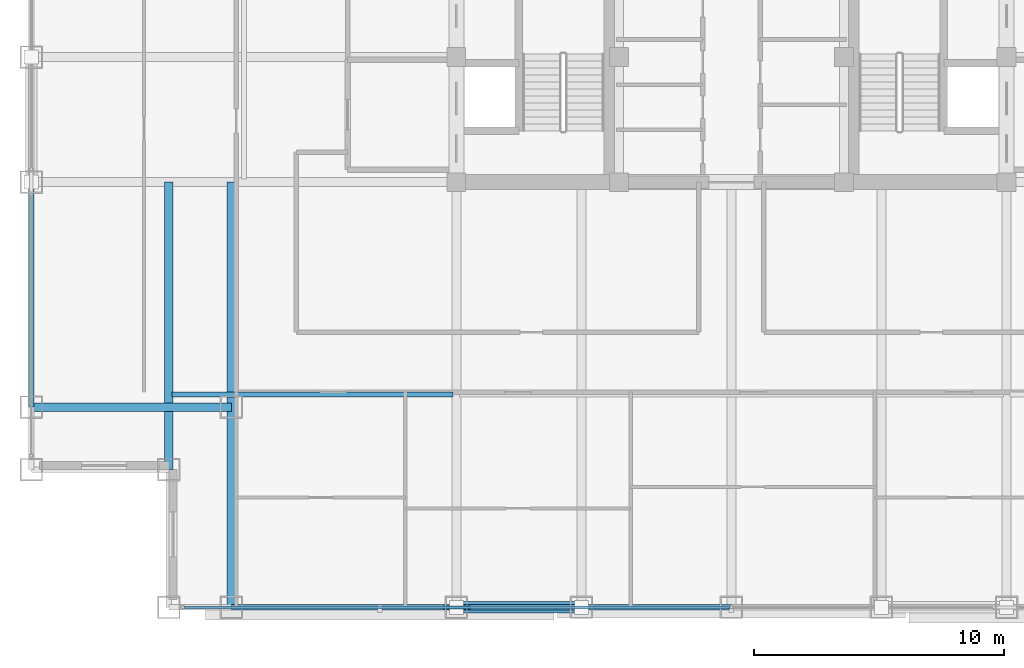
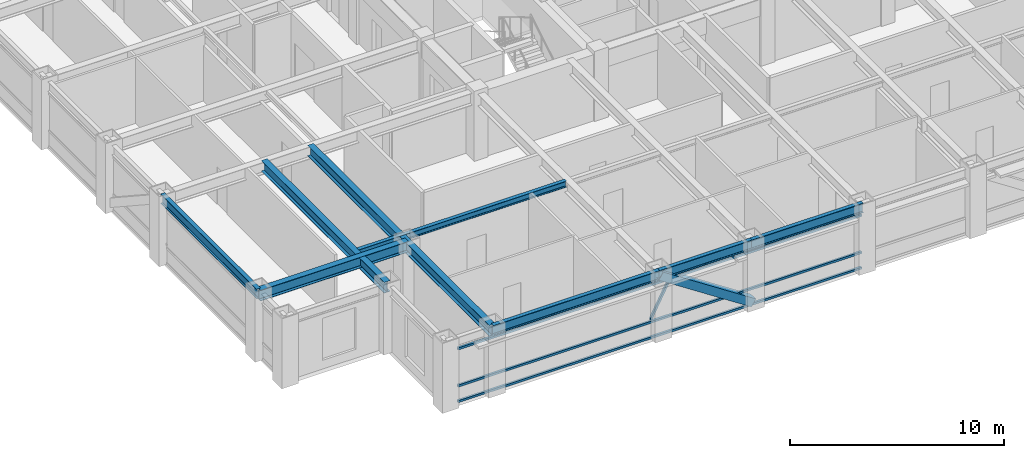
# One storey, part 3 of 27: 8 beams, 5 members, 1 element without a shape of its own.
"""IFC4 building model written with IfcOpenShell, lengths in metres."""

from ifc_helpers import new_model, si_unit, direction, frame, origin, origin_2d, place, context, subcontext, project, spatial, hollow_rectangle, i_section, extrude, source, transform, mapped, material, material_profile, profile_set, type_object, element, aggregate, save


model = new_model("IFC4")

# Units and contexts
model_context = context("Model", 3, precision=1e-05, world=origin(), true_north=direction((0.0, 1.0)))
body_context = subcontext(model_context, "Body", "Model", "MODEL_VIEW")
ifc_project = project(units=[si_unit("LENGTHUNIT", "METRE"), si_unit("AREAUNIT", "SQUARE_METRE"), si_unit("VOLUMEUNIT", "CUBIC_METRE"), si_unit("PLANEANGLEUNIT", "RADIAN"), si_unit("MASSUNIT", "GRAM", prefix="KILO")], contexts=[model_context])

# Site, building, storey
site_placement = place(None, origin())
site = spatial("IfcSite", under=ifc_project, at=site_placement, CompositionType="ELEMENT")
building_placement = place(site_placement, origin())
building = spatial("IfcBuilding", under=site, at=building_placement, Name="Khorayat Bourse Tower", CompositionType="ELEMENT")
storey_placement = place(building_placement, frame((0.0, 0.0, 285.5)))
storey = spatial("IfcBuildingStorey", under=building, at=storey_placement, Name="L67", CompositionType="ELEMENT", Elevation=285.5)

# Beam
ifc_material_1 = material(Name="Steel ASTM A992 Grade 50", Category="steel")
ifc_material_profile_1 = material_profile(ifc_material_1, i_section(OverallWidth=0.324951171875, OverallDepth=0.615966796875, WebThickness=0.013916015625, FlangeThickness=0.021484375, FilletRadius=0.01611328125, at=origin_2d()), Name="W610X174")
ifc_profile_set_1 = profile_set([ifc_material_profile_1], Name="Steel ASTM A992 Grade 50")
beam_type_1 = type_object("IfcBeamType", Name="BM-GIRD-610", PredefinedType="BEAM", material=ifc_profile_set_1)
shared_shape_1 = source(origin(), body_context, "Body", "SweptSolid", [
    extrude(i_section(OverallWidth=0.324951171875, OverallDepth=0.615966796875, WebThickness=0.013916015625, FlangeThickness=0.021484375, FilletRadius=0.01611328125, at=origin_2d()), origin(), (0.0, 0.0, 1.0), 17.0),
])
beam_1_placement = place(storey_placement, frame((-20.0, -28.0, 3.471923828125), z_axis=(0.0, 1.0, 0.0), x_axis=(-1.0, 0.0, 0.0)))
element("IfcBeam", 1, at=beam_1_placement, inside=storey, type_object=beam_type_1, Name="L67 BM-GIRD-610 BM-L67-CNRY-084", PredefinedType="BEAM", context=body_context, shape_type="MappedRepresentation", body=[
    mapped(shared_shape_1, transform((0.0, 0.0, 0.0), scale=1.0)),
])

# Member
ifc_material_2 = material(Name="Steel EN 10025-4 S460M", Category="steel")
ifc_material_profile_2 = material_profile(ifc_material_2, hollow_rectangle(XDim=0.449951171875, YDim=0.449951171875, WallThickness=0.02490234375, at=origin_2d()), Name="HSS 450x450x25")
ifc_profile_set_2 = profile_set([ifc_material_profile_2], Name="Steel EN 10025-4 S460M")
member_type_1 = type_object("IfcMemberType", Name="MBR-TUBE-450", PredefinedType="BRACE", material=ifc_profile_set_2)
shared_shape_2 = source(origin(), body_context, "Body", "SweptSolid", [
    extrude(hollow_rectangle(XDim=0.449951171875, YDim=0.449951171875, WallThickness=0.02490234375, at=origin_2d()), origin(), (0.0, 0.0, 1.0), 5.979736328125),
])
member_1_placement = place(storey_placement, frame((-11.0, -28.0, 3.530029296875), z_axis=(0.836141536525, 0.0, -0.548513747227), x_axis=(0.0, 1.0, 0.0)))
element("IfcMember", 2, at=member_1_placement, inside=storey, type_object=member_type_1, Name="L67 Perimeter Tube Brace 01", PredefinedType="BRACE", context=body_context, shape_type="MappedRepresentation", body=[
    mapped(shared_shape_2, transform((0.0, 0.0, 0.0), scale=1.0)),
])

# Beams
shared_shape_3 = source(origin(), body_context, "Body", "SweptSolid", [
    extrude(i_section(OverallWidth=0.324951171875, OverallDepth=0.615966796875, WebThickness=0.013916015625, FlangeThickness=0.021484375, FilletRadius=0.01611328125, at=origin_2d()), origin(), (0.0, 0.0, 1.0), 11.5),
])
beam_2_placement = place(storey_placement, frame((-22.5, -22.5, 3.471923828125), z_axis=(0.0, 1.0, 0.0), x_axis=(-1.0, 0.0, 0.0)))
element("IfcBeam", 3, at=beam_2_placement, inside=storey, type_object=beam_type_1, Name="L67 BM-GIRD-610 BM-L67-CNRY-088", PredefinedType="BEAM", context=body_context, shape_type="MappedRepresentation", body=[
    mapped(shared_shape_3, transform((0.0, 0.0, 0.0), scale=1.0)),
])
shared_shape_4 = source(origin(), body_context, "Body", "SweptSolid", [
    extrude(i_section(OverallWidth=0.324951171875, OverallDepth=0.615966796875, WebThickness=0.013916015625, FlangeThickness=0.021484375, FilletRadius=0.01611328125, at=origin_2d()), origin(), (0.0, 0.0, 1.0), 8.0),
])
beam_3_placement = place(storey_placement, frame((-28.0, -20.0, 3.471923828125), z_axis=(1.0, 0.0, 0.0), x_axis=(0.0, 1.0, 0.0)))
element("IfcBeam", 4, at=beam_3_placement, inside=storey, type_object=beam_type_1, Name="L67 BM-GIRD-610 BM-L67-CNRX-093", PredefinedType="BEAM", context=body_context, shape_type="MappedRepresentation", body=[
    mapped(shared_shape_4, transform((0.0, 0.0, 0.0), scale=1.0)),
])
ifc_material_profile_3 = material_profile(ifc_material_1, i_section(OverallWidth=0.202880859375, OverallDepth=0.346923828125, WebThickness=0.0078125, FlangeThickness=0.013427734375, FilletRadius=0.010009765625, at=origin_2d()), Name="W360X64")
ifc_profile_set_3 = profile_set([ifc_material_profile_3], Name="Steel ASTM A992 Grade 50")
beam_type_2 = type_object("IfcBeamType", Name="BM-JOIST-360", PredefinedType="JOIST", material=ifc_profile_set_3)
shared_shape_5 = source(origin(), body_context, "Body", "SweptSolid", [
    extrude(i_section(OverallWidth=0.202880859375, OverallDepth=0.346923828125, WebThickness=0.0078125, FlangeThickness=0.013427734375, FilletRadius=0.010009765625, at=origin_2d()), origin(), (0.0, 0.0, 1.0), 11.240234375),
])
beam_4_placement = place(storey_placement, frame((-22.3701171875, -19.5, 3.6064453125), z_axis=(1.0, 0.0, 0.0), x_axis=(0.0, 1.0, 0.0)))
element("IfcBeam", 5, at=beam_4_placement, inside=storey, type_object=beam_type_2, Name="L67 BM-JOIST-360 BM-L67-JSTX-096", PredefinedType="JOIST", context=body_context, shape_type="MappedRepresentation", body=[
    mapped(shared_shape_5, transform((0.0, 0.0, 0.0), scale=1.0)),
])
ifc_material_profile_4 = material_profile(ifc_material_1, i_section(OverallWidth=0.214111328125, OverallDepth=0.549072265625, WebThickness=0.0146484375, FlangeThickness=0.023681640625, FilletRadius=0.013916015625, at=origin_2d()), Name="W530X138")
ifc_profile_set_4 = profile_set([ifc_material_profile_4], Name="Steel ASTM A992 Grade 50")
beam_type_3 = type_object("IfcBeamType", Name="BM-SPAN-530", PredefinedType="SPANDREL", material=ifc_profile_set_4)
shared_shape_6 = source(origin(), body_context, "Body", "SweptSolid", [
    extrude(i_section(OverallWidth=0.214111328125, OverallDepth=0.549072265625, WebThickness=0.0146484375, FlangeThickness=0.023681640625, FilletRadius=0.013916015625, at=origin_2d()), origin(), (0.0, 0.0, 1.0), 9.0),
])
for number, where, z_axis, x_axis, name in (
    (6, (-20.0, -28.0, 3.505615234375), (1.0, 0.0, 0.0), (0.0, 1.0, 0.0), "L67 BM-SPAN-530 BM-L67-SPN-025"),
    (7, (-28.0, -20.0, 3.505615234375), (0.0, 1.0, 0.0), (-1.0, 0.0, 0.0), "L67 BM-SPAN-530 BM-L67-SPN-060"),
):
    element("IfcBeam", number, at=place(storey_placement, frame(where, z_axis=z_axis, x_axis=x_axis)), inside=storey, type_object=beam_type_3, Name=name, PredefinedType="SPANDREL", context=body_context, shape_type="MappedRepresentation", body=[
        mapped(shared_shape_6, transform((0.0, 0.0, 0.0), scale=1.0)),
    ])
shared_shape_7 = source(origin(), body_context, "Body", "SweptSolid", [
    extrude(i_section(OverallWidth=0.214111328125, OverallDepth=0.549072265625, WebThickness=0.0146484375, FlangeThickness=0.023681640625, FilletRadius=0.013916015625, at=origin_2d()), origin(), (0.0, 0.0, 1.0), 5.0),
])
beam_5_placement = place(storey_placement, frame((-11.0, -28.0, 3.505615234375), z_axis=(1.0, 0.0, 0.0), x_axis=(0.0, 1.0, 0.0)))
element("IfcBeam", 8, at=beam_5_placement, inside=storey, type_object=beam_type_3, Name="L67 BM-SPAN-530 BM-L67-SPN-026", PredefinedType="SPANDREL", context=body_context, shape_type="MappedRepresentation", body=[
    mapped(shared_shape_7, transform((0.0, 0.0, 0.0), scale=1.0)),
])
shared_shape_8 = source(origin(), body_context, "Body", "SweptSolid", [
    extrude(i_section(OverallWidth=0.214111328125, OverallDepth=0.549072265625, WebThickness=0.0146484375, FlangeThickness=0.023681640625, FilletRadius=0.013916015625, at=origin_2d()), origin(), (0.0, 0.0, 1.0), 6.0),
])
beam_6_placement = place(storey_placement, frame((-6.0, -28.0, 3.505615234375), z_axis=(1.0, 0.0, 0.0), x_axis=(0.0, 1.0, 0.0)))
element("IfcBeam", 9, at=beam_6_placement, inside=storey, type_object=beam_type_3, Name="L67 BM-SPAN-530 BM-L67-SPN-027", PredefinedType="SPANDREL", context=body_context, shape_type="MappedRepresentation", body=[
    mapped(shared_shape_8, transform((0.0, 0.0, 0.0), scale=1.0)),
])

# Curtain wall, members
ifc_material_3 = material(Name="Aluminium EN AW-6063 T6", Category="aluminium")
curtain_wall_type = type_object("IfcCurtainWallType", Name="CW-SYS-04", PredefinedType="NOTDEFINED", material=ifc_material_3)
curtain_wall_placement = place(storey_placement, origin())
curtain_wall = element("IfcCurtainWall", 10, at=curtain_wall_placement, inside=storey, type_object=curtain_wall_type, Name="L67 Curtain Wall CW-L67-S1", PredefinedType="NOTDEFINED")
ifc_material_profile_5 = material_profile(ifc_material_3, hollow_rectangle(XDim=0.1201171875, YDim=0.1201171875, WallThickness=0.0048828125, at=origin_2d()), Name="ALU 120x120x5")
ifc_profile_set_5 = profile_set([ifc_material_profile_5], Name="Aluminium EN AW-6063 T6")
member_type_2 = type_object("IfcMemberType", Name="CWM-DIAG-120", PredefinedType="MULLION", material=ifc_profile_set_5)
shared_shape_9 = source(origin(), body_context, "Body", "SweptSolid", [
    extrude(hollow_rectangle(XDim=0.1201171875, YDim=0.1201171875, WallThickness=0.0048828125, at=origin_2d()), origin(), (0.0, 0.0, 1.0), 2.0791015625),
])
member_2_placement = place(storey_placement, frame((-11.4541015625, -28.0, 1.090087890625), z_axis=(0.465717394116, 0.0, 0.884933505309), x_axis=(0.0, 1.0, 0.0)))
member_2 = element("IfcMember", 11, at=member_2_placement, type_object=member_type_2, Name="CW-L67-S1 Faceted Diagonal Mullion 1", PredefinedType="MULLION", context=body_context, shape_type="MappedRepresentation", body=[
    mapped(shared_shape_9, transform((0.0, 0.0, 0.0), scale=1.0)),
])
ifc_material_profile_6 = material_profile(ifc_material_3, hollow_rectangle(XDim=0.1201171875, YDim=0.1201171875, WallThickness=0.0048828125, at=origin_2d()), Name="ALU 120x120x5")
ifc_profile_set_6 = profile_set([ifc_material_profile_6], Name="Aluminium EN AW-6063 T6")
member_type_3 = type_object("IfcMemberType", Name="CWT-HORZ-120", PredefinedType="USERDEFINED", material=ifc_profile_set_6)
shared_shape_10 = source(origin(), body_context, "Body", "SweptSolid", [
    extrude(hollow_rectangle(XDim=0.1201171875, YDim=0.1201171875, WallThickness=0.0048828125, at=origin_2d()), origin(), (0.0, 0.0, 1.0), 21.81982421875),
])
member_3_placement = place(storey_placement, frame((-21.8798828125, -28.0, 0.06005859375), z_axis=(1.0, 0.0, 0.0), x_axis=(0.0, 1.0, 0.0)))
member_3 = element("IfcMember", 12, at=member_3_placement, type_object=member_type_3, Name="CW-L67-S1 Horizontal Transom 1-1", ObjectType="TRANSOM", PredefinedType="USERDEFINED", context=body_context, shape_type="MappedRepresentation", body=[
    mapped(shared_shape_10, transform((0.0, 0.0, 0.0), scale=1.0)),
])
member_4_placement = place(storey_placement, frame((-21.8798828125, -28.0, 0.949951171875), z_axis=(1.0, 0.0, 0.0), x_axis=(0.0, 1.0, 0.0)))
member_4 = element("IfcMember", 13, at=member_4_placement, type_object=member_type_3, Name="CW-L67-S1 Horizontal Transom 1-2", ObjectType="TRANSOM", PredefinedType="USERDEFINED", context=body_context, shape_type="MappedRepresentation", body=[
    mapped(shared_shape_10, transform((0.0, 0.0, 0.0), scale=1.0)),
])
member_5_placement = place(storey_placement, frame((-21.8798828125, -28.0, 3.070068359375), z_axis=(1.0, 0.0, 0.0), x_axis=(0.0, 1.0, 0.0)))
member_5 = element("IfcMember", 14, at=member_5_placement, type_object=member_type_3, Name="CW-L67-S1 Horizontal Transom 1-3", ObjectType="TRANSOM", PredefinedType="USERDEFINED", context=body_context, shape_type="MappedRepresentation", body=[
    mapped(shared_shape_10, transform((0.0, 0.0, 0.0), scale=1.0)),
])
aggregate(curtain_wall, [member_3, member_4, member_5, member_2])

save(model, "model.ifc")
